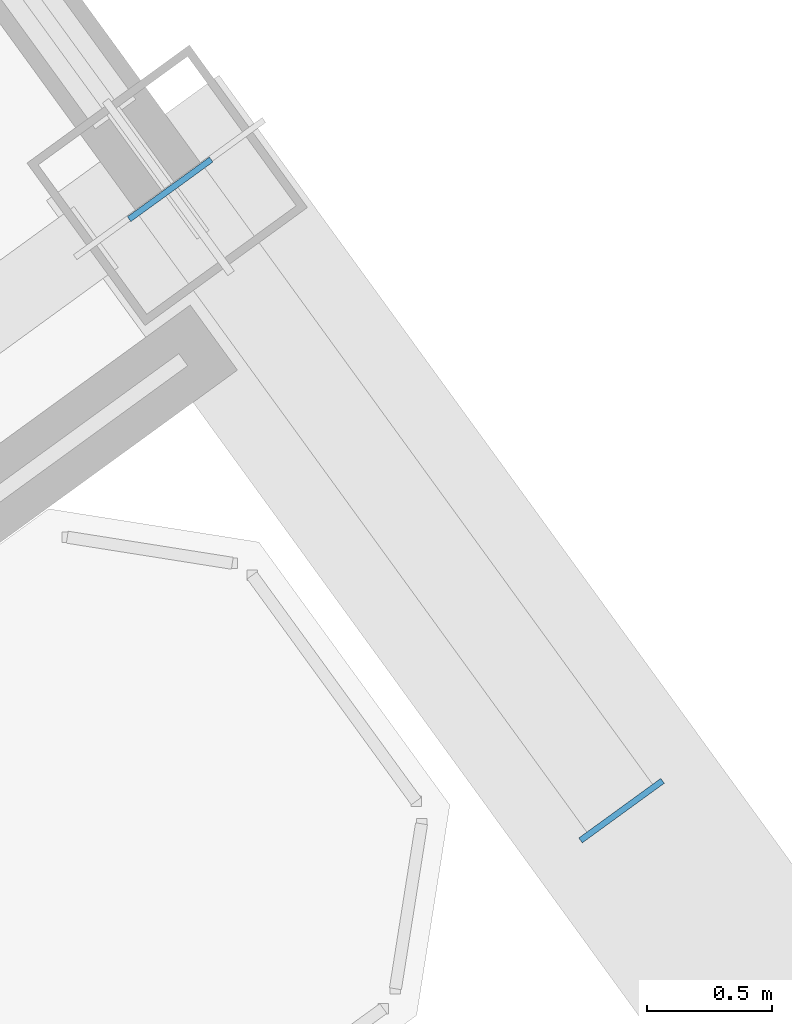
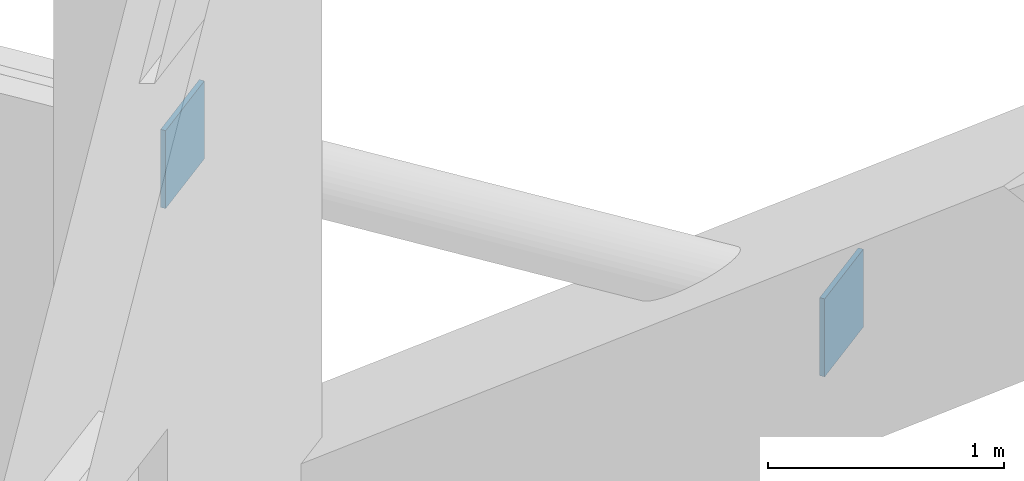
# One storey, part 21 of 34: 2 plates.
"""IFC4 building model written with IfcOpenShell, lengths in metres."""

from ifc_helpers import new_model, si_unit, direction, frame, origin, origin_2d, place, context, subcontext, project, spatial, rectangle, extrude, source, transform, mapped, material, layer, layer_set, type_object, element, save


model = new_model("IFC4")

# Units and contexts
model_context = context("Model", 3, precision=1e-05, world=origin(), true_north=direction((0.0, 1.0)))
body_context = subcontext(model_context, "Body", "Model", "MODEL_VIEW")
ifc_project = project(units=[si_unit("LENGTHUNIT", "METRE"), si_unit("AREAUNIT", "SQUARE_METRE"), si_unit("VOLUMEUNIT", "CUBIC_METRE"), si_unit("PLANEANGLEUNIT", "RADIAN"), si_unit("MASSUNIT", "GRAM", prefix="KILO")], contexts=[model_context])

# Site, building, storey
site_placement = place(None, origin())
site = spatial("IfcSite", under=ifc_project, at=site_placement, CompositionType="ELEMENT")
building_placement = place(site_placement, origin())
building = spatial("IfcBuilding", under=site, at=building_placement, Name="Tlacorven Tower", CompositionType="ELEMENT")
storey_placement = place(building_placement, frame((0.0, 0.0, 229.199951171875)))
storey = spatial("IfcBuildingStorey", under=building, at=storey_placement, Name="L58", CompositionType="ELEMENT", Elevation=229.199951171875)

# Plates
ifc_material = material(Name="Steel S460M", Category="steel")
ifc_layer = layer(ifc_material, 0.02392578125)
ifc_layer_set = layer_set([ifc_layer], Name="Steel S460M")
plate_type = type_object("IfcPlateType", Name="PL-CAP-END1", PredefinedType="USERDEFINED", material=ifc_layer_set)
shared_shape = source(origin(), body_context, "Body", "SweptSolid", [
    extrude(rectangle(XDim=0.02392578125, YDim=0.40380859375, at=origin_2d()), origin(), (0.0, 0.0, 1.0), 0.40380859375),
])
for number, where, z_axis, x_axis, name in (
    (1, (67.279541015625, 23.33740234375, 2.048095703125), (0.0, 0.0, 1.0), (0.587785377015, -0.809016903759, 0.0), "L58 hollow end cap plate SBR-L58-E4 1"),
    (2, (69.078125, 20.86181640625, 2.048095703125), (0.0, 0.0, 1.0), (0.587785377015, -0.809016903759, 0.0), "L58 hollow end cap plate SBR-L58-E4 2"),
):
    element("IfcPlate", number, at=place(storey_placement, frame(where, z_axis=z_axis, x_axis=x_axis)), inside=storey, type_object=plate_type, Name=name, ObjectType="END PLATE", PredefinedType="USERDEFINED", context=body_context, shape_type="MappedRepresentation", body=[
        mapped(shared_shape, transform((0.0, 0.0, 0.0), scale=1.0)),
    ])

save(model, "model.ifc")
